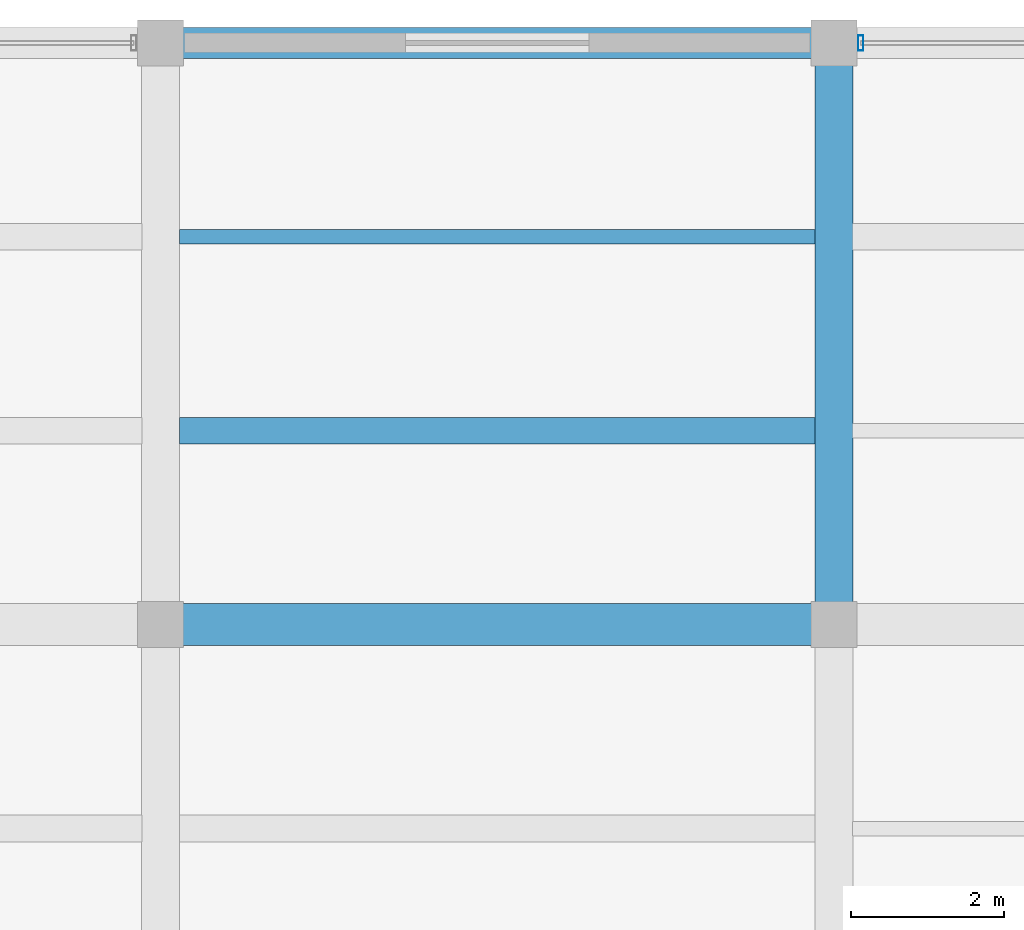
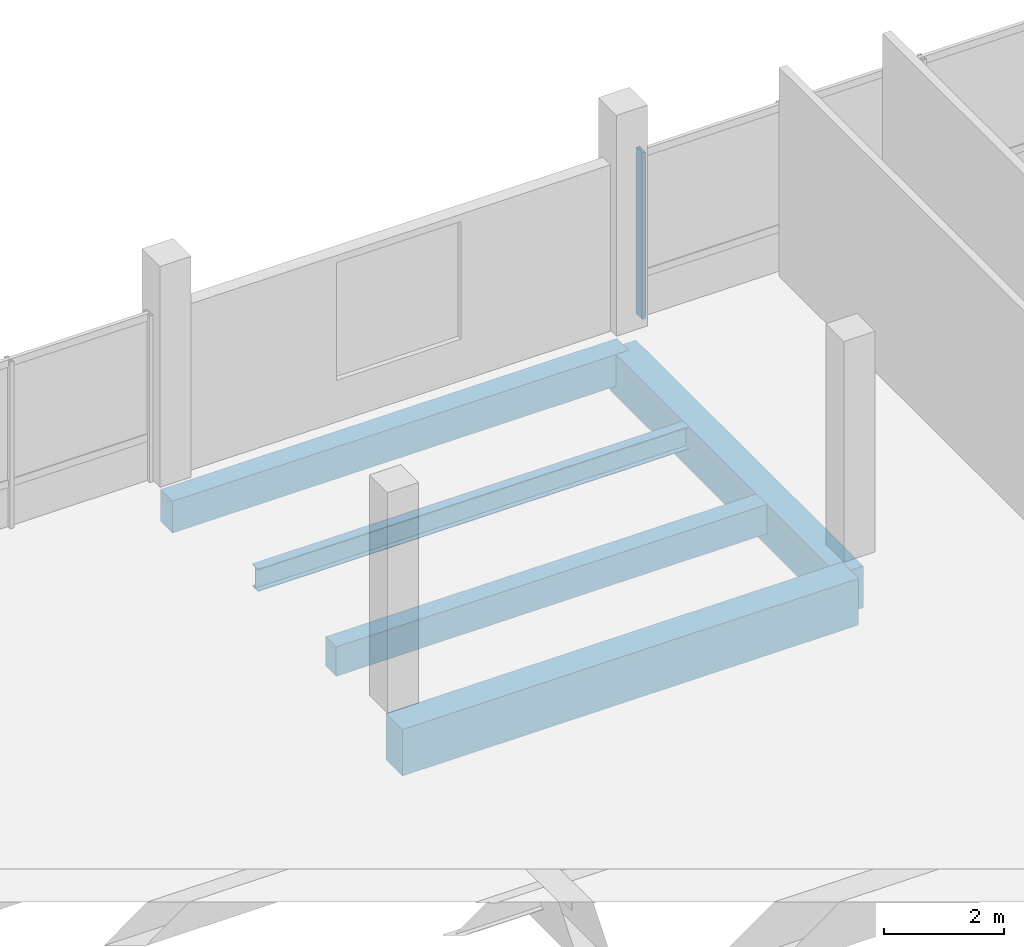
# One storey, part 48 of 77: 5 beams, 1 member, 1 element without a shape of its own.
"""IFC4 building model written with IfcOpenShell, lengths in metres."""

from ifc_helpers import new_model, si_unit, direction, frame, origin, origin_2d, place, context, subcontext, project, spatial, rectangle, hollow_rectangle, i_section, extrude, material, layer, layer_set, material_profile, profile_set, type_object, element, aggregate, save


model = new_model("IFC4")

# Units and contexts
model_context = context("Model", 3, precision=1e-05, world=origin(), true_north=direction((0.0, 1.0)))
body_context = subcontext(model_context, "Body", "Model", "MODEL_VIEW")
ifc_project = project(units=[si_unit("LENGTHUNIT", "METRE"), si_unit("AREAUNIT", "SQUARE_METRE"), si_unit("VOLUMEUNIT", "CUBIC_METRE"), si_unit("PLANEANGLEUNIT", "RADIAN"), si_unit("MASSUNIT", "GRAM", prefix="KILO")], contexts=[model_context])

# Site, building, storey
site_placement = place(None, origin())
site = spatial("IfcSite", under=ifc_project, at=site_placement, CompositionType="ELEMENT")
building_placement = place(site_placement, origin())
building = spatial("IfcBuilding", under=site, at=building_placement, Name="Meriwether Solvik Hall", CompositionType="ELEMENT")
storey_placement = place(building_placement, frame((0.0, 0.0, 9.89990234375)))
storey = spatial("IfcBuildingStorey", under=building, at=storey_placement, Name="L02", CompositionType="ELEMENT", Elevation=9.89990234375)

# Beams
ifc_material_1 = material(Name="Concrete C40/50", Category="concrete")
ifc_material_profile_1 = material_profile(ifc_material_1, rectangle(XDim=0.35009765625, YDim=0.60009765625, at=origin_2d()), Name="RCB-350X600")
ifc_profile_set_1 = profile_set([ifc_material_profile_1], Name="Concrete C40/50")
beam_type_1 = type_object("IfcBeamType", Name="BM-RC-350X600", PredefinedType="JOIST", material=ifc_profile_set_1)
beam_1_placement = place(storey_placement, frame((123.2451171875, 111.7333984375, -0.75), z_axis=(1.0, 0.0, 0.0), x_axis=(0.0, 1.0, 0.0)))
element("IfcBeam", 1, at=beam_1_placement, inside=storey, type_object=beam_type_1, Name="Secondary Floor Joist 14/M_J1 (L02)", PredefinedType="JOIST", context=body_context, shape_type="SweptSolid", body=[
    extrude(rectangle(XDim=0.35009765625, YDim=0.60009765625, at=origin_2d()), origin(), (0.0, 0.0, 1.0), 8.309814453125),
])
ifc_material_2 = material(Name="Concrete C40/50", Category="concrete")
ifc_material_profile_2 = material_profile(ifc_material_2, rectangle(XDim=0.39990234375, YDim=0.64990234375, at=origin_2d()), Name="RCB-400X650")
ifc_profile_set_2 = profile_set([ifc_material_profile_2], Name="Concrete C40/50")
beam_type_2 = type_object("IfcBeamType", Name="BM-RC-400X650", PredefinedType="SPANDREL", material=ifc_profile_set_2)
beam_2_placement = place(storey_placement, frame((123.0, 116.800048828125, -0.77490234375), z_axis=(1.0, 0.0, 0.0), x_axis=(0.0, 1.0, 0.0)))
element("IfcBeam", 2, at=beam_2_placement, inside=storey, type_object=beam_type_2, Name="Podium Girder N:14-15 (L02)", PredefinedType="SPANDREL", context=body_context, shape_type="SweptSolid", body=[
    extrude(rectangle(XDim=0.39990234375, YDim=0.64990234375, at=origin_2d()), origin(), (0.0, 0.0, 1.0), 8.800048828125),
])
ifc_material_3 = material(Name="Concrete C40/50", Category="concrete")
ifc_material_profile_3 = material_profile(ifc_material_3, rectangle(XDim=0.5, YDim=0.85009765625, at=origin_2d()), Name="RCB-500X850")
ifc_profile_set_3 = profile_set([ifc_material_profile_3], Name="Concrete C40/50")
beam_type_3 = type_object("IfcBeamType", Name="BM-RC-500X850", PredefinedType="BEAM", material=ifc_profile_set_3)
beam_3_placement = place(storey_placement, frame((131.800048828125, 109.199951171875, -0.875), z_axis=(0.0, 1.0, 0.0), x_axis=(-1.0, 0.0, 0.0)))
element("IfcBeam", 3, at=beam_3_placement, inside=storey, type_object=beam_type_3, Name="Podium Girder 15:M-N (L02)", PredefinedType="BEAM", context=body_context, shape_type="SweptSolid", body=[
    extrude(rectangle(XDim=0.5, YDim=0.85009765625, at=origin_2d()), origin(), (0.0, 0.0, 1.0), 7.60009765625),
])
ifc_material_4 = material(Name="Concrete C40/50", Category="concrete")
ifc_material_profile_4 = material_profile(ifc_material_4, rectangle(XDim=0.550048828125, YDim=0.949951171875, at=origin_2d()), Name="RCB-550X950")
ifc_profile_set_4 = profile_set([ifc_material_profile_4], Name="Concrete C40/50")
beam_type_4 = type_object("IfcBeamType", Name="BM-RC-550X950", PredefinedType="BEAM", material=ifc_profile_set_4)
beam_4_placement = place(storey_placement, frame((123.0, 109.199951171875, -0.9248046875), z_axis=(1.0, 0.0, 0.0), x_axis=(0.0, 1.0, 0.0)))
element("IfcBeam", 4, at=beam_4_placement, inside=storey, type_object=beam_type_4, Name="Podium Girder M:14-15 (L02)", PredefinedType="BEAM", context=body_context, shape_type="SweptSolid", body=[
    extrude(rectangle(XDim=0.550048828125, YDim=0.949951171875, at=origin_2d()), origin(), (0.0, 0.0, 1.0), 8.800048828125),
])
ifc_material_5 = material(Name="Steel A992 Grade 50", Category="steel")
ifc_material_profile_5 = material_profile(ifc_material_5, i_section(OverallWidth=0.19091796875, OverallDepth=0.45703125, WebThickness=0.009033203125, FlangeThickness=0.014404296875, at=origin_2d()), Name="W18X50")
ifc_profile_set_5 = profile_set([ifc_material_profile_5], Name="Steel A992 Grade 50")
beam_type_5 = type_object("IfcBeamType", Name="BM-STL-W18X50", PredefinedType="JOIST", material=ifc_profile_set_5)
beam_5_placement = place(storey_placement, frame((123.2451171875, 114.2666015625, -0.678466796875), z_axis=(1.0, 0.0, 0.0), x_axis=(0.0, 1.0, 0.0)))
element("IfcBeam", 5, at=beam_5_placement, inside=storey, type_object=beam_type_5, Name="Secondary Floor Joist 14/M_J2 (L02)", PredefinedType="JOIST", context=body_context, shape_type="SweptSolid", body=[
    extrude(i_section(OverallWidth=0.19091796875, OverallDepth=0.45703125, WebThickness=0.009033203125, FlangeThickness=0.014404296875, at=origin_2d()), origin(), (0.0, 0.0, 1.0), 8.309814453125),
])

# Curtain wall, member
ifc_material_6 = material(Name="Thermally Broken Anodised Aluminium 6063-T6 and Low-E Glass", Category="aluminium")
ifc_layer = layer(ifc_material_6, 0.179931640625)
ifc_layer_set = layer_set([ifc_layer], Name="Thermally Broken Anodised Aluminium 6063-T6 and Low-E Glass")
curtain_wall_type = type_object("IfcCurtainWallType", Name="CW-SF-POD-C", PredefinedType="USERDEFINED", material=ifc_layer_set)
curtain_wall_placement = place(storey_placement, origin())
curtain_wall = element("IfcCurtainWall", 6, at=curtain_wall_placement, inside=storey, type_object=curtain_wall_type, Name="Curtain Wall wing_XN_15_20 (L02)", ObjectType="STICK STOREFRONT GLAZING", PredefinedType="USERDEFINED")
ifc_material_7 = material(Name="Anodised Aluminium 6063-T6", Category="aluminium")
ifc_material_profile_6 = material_profile(ifc_material_7, hollow_rectangle(XDim=0.070068359375, YDim=0.199951171875, WallThickness=0.0048828125, at=origin_2d()), Name="CWM-70X200")
ifc_profile_set_6 = profile_set([ifc_material_profile_6], Name="Anodised Aluminium 6063-T6")
member_type = type_object("IfcMemberType", Name="CW-MUL-70X200", PredefinedType="MULLION", material=ifc_profile_set_6)
member_placement = place(storey_placement, frame((132.14990234375, 116.800048828125, 0.0), z_axis=(0.0, 0.0, 1.0), x_axis=(1.0, 0.0, 0.0)))
member = element("IfcMember", 7, at=member_placement, type_object=member_type, Name="Curtain Wall Mullion 1", PredefinedType="MULLION", context=body_context, shape_type="SweptSolid", body=[
    extrude(hollow_rectangle(XDim=0.070068359375, YDim=0.199951171875, WallThickness=0.0048828125, at=origin_2d()), origin(), (0.0, 0.0, 1.0), 3.39501953125),
])
aggregate(curtain_wall, [member])

save(model, "model.ifc")
